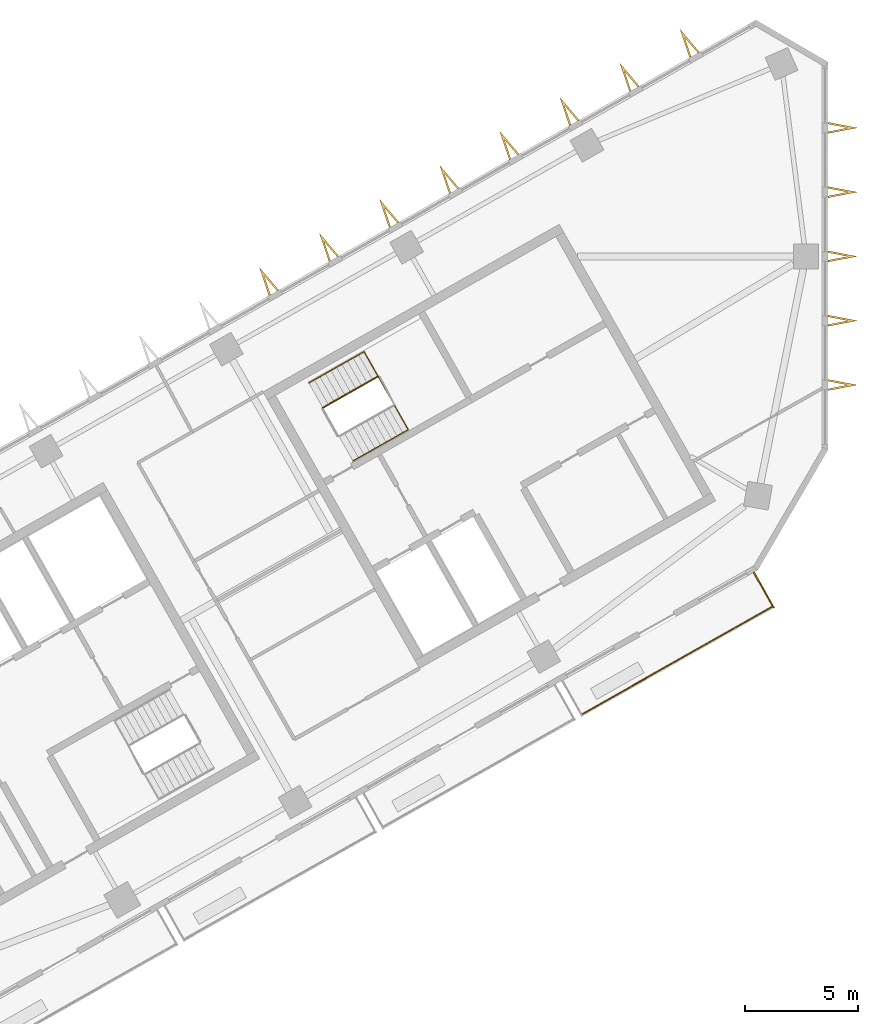
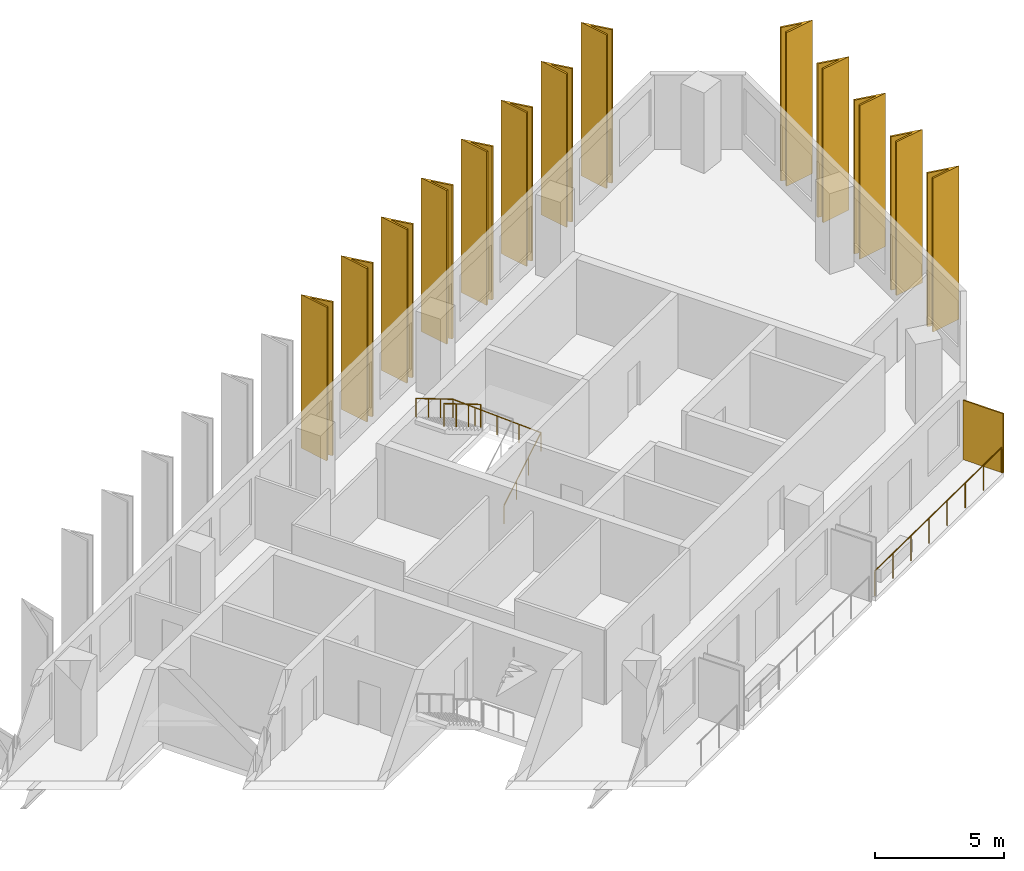
# One storey, part 7 of 8: 14 shading devices, 3 railings.
"""IFC4 building model written with IfcOpenShell, lengths in metres."""

from ifc_helpers import new_model, si_unit, direction, frame, origin, origin_2d, place, context, subcontext, project, spatial, polyline, rectangle, circle, outline, extrude, material, layer, layer_set, type_object, element, save


model = new_model("IFC4")

# Units and contexts
model_context = context("Model", 3, precision=1e-05, world=origin(), true_north=direction((0.0, 1.0)))
body_context = subcontext(model_context, "Body", "Model", "MODEL_VIEW")
ifc_project = project(units=[si_unit("LENGTHUNIT", "METRE"), si_unit("AREAUNIT", "SQUARE_METRE"), si_unit("VOLUMEUNIT", "CUBIC_METRE"), si_unit("PLANEANGLEUNIT", "RADIAN"), si_unit("MASSUNIT", "GRAM", prefix="KILO")], contexts=[model_context])

# Site, building, storey
site_placement = place(None, origin())
site = spatial("IfcSite", under=ifc_project, at=site_placement, CompositionType="ELEMENT")
building_placement = place(site_placement, origin())
building = spatial("IfcBuilding", under=site, at=building_placement, Name="Binnacle Exchange Tower", CompositionType="ELEMENT")
storey_placement = place(building_placement, frame((0.0, 0.0, 277.89990234375)))
storey = spatial("IfcBuildingStorey", under=building, at=storey_placement, Name="L62", CompositionType="ELEMENT", Elevation=277.89990234375)

# Railing
ifc_material_1 = material(Name="Bronze anodised aluminium frame", Category="aluminium")
railing_type_1 = type_object("IfcRailingType", Name="GUARD 1200", PredefinedType="GUARDRAIL", material=ifc_material_1)
railing_1_placement = place(storey_placement, frame((-10.7177734375, 39.81640625, 0.0)))
element("IfcRailing", 1, at=railing_1_placement, inside=storey, type_object=railing_type_1, Name="Balcony guard H07-B03 L62", PredefinedType="GUARDRAIL", context=body_context, shape_type="SweptSolid", body=[
    extrude(circle(Radius=0.02392578125, at=origin_2d()), frame((0.0, 0.0, 1.17578125), z_axis=(0.870353035673, 0.492428262079, 0.0), x_axis=(-0.492428262079, 0.870353035673, 0.0)), (0.0, 0.0, 1.0), 9.64794921875),
    extrude(circle(Radius=0.02099609375, at=origin_2d()), origin(), (0.0, 0.0, 1.0), 1.15185546875),
    extrude(circle(Radius=0.02099609375, at=origin_2d()), frame((1.19970703125, 0.6787109375, 0.0)), (0.0, 0.0, 1.0), 1.15185546875),
    extrude(circle(Radius=0.02099609375, at=origin_2d()), frame((2.399169921875, 1.357421875, 0.0)), (0.0, 0.0, 1.0), 1.15185546875),
    extrude(circle(Radius=0.02099609375, at=origin_2d()), frame((3.598876953125, 2.0361328125, 0.0)), (0.0, 0.0, 1.0), 1.15185546875),
    extrude(circle(Radius=0.02099609375, at=origin_2d()), frame((4.79833984375, 2.71484375, 0.0)), (0.0, 0.0, 1.0), 1.15185546875),
    extrude(circle(Radius=0.02099609375, at=origin_2d()), frame((5.998046875, 3.3935546875, 0.0)), (0.0, 0.0, 1.0), 1.15185546875),
    extrude(circle(Radius=0.02099609375, at=origin_2d()), frame((7.197509765625, 4.072265625, 0.0)), (0.0, 0.0, 1.0), 1.15185546875),
    extrude(circle(Radius=0.02099609375, at=origin_2d()), frame((8.397216796875, 4.7509765625, 0.0)), (0.0, 0.0, 1.0), 1.15185546875),
])

# Shading device
ifc_material_2 = material(Name="Bronze aluminium louvre", Category="aluminium")
ifc_layer = layer(ifc_material_2, 0.06005859375)
ifc_layer_set = layer_set([ifc_layer], Name="PLANTED SCREEN 60x2800")
shading_device_type_1 = type_object("IfcShadingDeviceType", Name="PLANTED SCREEN 60x2800", PredefinedType="USERDEFINED", material=ifc_layer_set)
shading_device_1_placement = place(storey_placement, frame((-2.697998046875, 45.2958984375, 0.0), z_axis=(0.0, 0.0, 1.0), x_axis=(0.87035569594, 0.492423560103, 0.0)))
element("IfcShadingDevice", 2, at=shading_device_1_placement, inside=storey, type_object=shading_device_type_1, Name="Planted screen H07-B03b L62", ObjectType="SCREEN", PredefinedType="USERDEFINED", context=body_context, shape_type="SweptSolid", body=[
    extrude(rectangle(XDim=0.06005859375, YDim=1.800048828125, at=origin_2d()), origin(), (0.0, 0.0, 1.0), 2.800048828125),
])

# Railings
ifc_material_3 = material(Name="Steel guard rail", Category="steel")
railing_type_2 = type_object("IfcRailingType", Name="STAIR GUARD 1100", PredefinedType="GUARDRAIL", material=ifc_material_3)
railing_2_placement = place(storey_placement, frame((-19.70068359375, 54.71337890625, 2.07275390625)))
element("IfcRailing", 3, at=railing_2_placement, inside=storey, type_object=railing_type_2, Name="L62 STC1 stair guard 2", PredefinedType="GUARDRAIL", context=body_context, shape_type="SweptSolid", body=[
    extrude(circle(Radius=0.02392578125, at=origin_2d()), frame((0.0, 0.0, 1.076171875), z_axis=(-0.740760999345, -0.419062048017, 0.525033467278), x_axis=(0.492387636113, -0.870376019777, 0.0)), (0.0, 0.0, 1.0), 3.289794921875),
    extrude(circle(Radius=0.02099609375, at=origin_2d()), origin(), (0.0, 0.0, 1.0), 1.052001953125),
    extrude(circle(Radius=0.02099609375, at=origin_2d()), frame((-0.812255859375, -0.45947265625, 0.57568359375)), (0.0, 0.0, 1.0), 1.052001953125),
    extrude(circle(Radius=0.02099609375, at=origin_2d()), frame((-1.624755859375, -0.919189453125, 1.151611328125)), (0.0, 0.0, 1.0), 1.052001953125),
    extrude(circle(Radius=0.02099609375, at=origin_2d()), frame((-2.43701171875, -1.378662109375, 1.727294921875)), (0.0, 0.0, 1.0), 1.052001953125),
])
ifc_material_4 = material(Name="Steel handrail", Category="steel")
railing_type_3 = type_object("IfcRailingType", Name="STAIR HANDRAIL 900", PredefinedType="HANDRAIL", material=ifc_material_4)
railing_3_placement = place(storey_placement, frame((-20.808349609375, 50.984619140625, 0.1728515625)))
element("IfcRailing", 4, at=railing_3_placement, inside=storey, type_object=railing_type_3, Name="L62 STC1 stair handrail 1", PredefinedType="HANDRAIL", context=body_context, shape_type="SweptSolid", body=[
    extrude(circle(Radius=0.02392578125, at=origin_2d()), frame((0.0, 0.0, 0.8759765625), z_axis=(0.740737961854, 0.419123222656, 0.525017138862), x_axis=(-0.492453686477, 0.870338650569, 0.0)), (0.0, 0.0, 1.0), 3.2900390625),
    extrude(circle(Radius=0.02392578125, at=origin_2d()), frame((2.43701171875, 1.37890625, 2.60302734375), z_axis=(-0.49197058795, 0.869516486623, 0.043657989918), x_axis=(-0.87034633103, -0.492440112159, 0.0)), (0.0, 0.0, 1.0), 3.95361328125),
    extrude(circle(Radius=0.02392578125, at=origin_2d()), frame((0.491943359375, 4.816650390625, 2.77587890625), z_axis=(-0.740760999345, -0.419062048017, 0.525033467278), x_axis=(0.492387636113, -0.870376019777, 0.0)), (0.0, 0.0, 1.0), 3.289794921875),
    extrude(circle(Radius=0.02099609375, at=origin_2d()), origin(), (0.0, 0.0, 1.0), 0.851806640625),
    extrude(circle(Radius=0.02099609375, at=origin_2d()), frame((0.812255859375, 0.459716796875, 0.57568359375)), (0.0, 0.0, 1.0), 0.851806640625),
    extrude(circle(Radius=0.02099609375, at=origin_2d()), frame((1.624755859375, 0.919189453125, 1.151611328125)), (0.0, 0.0, 1.0), 0.851806640625),
    extrude(circle(Radius=0.02099609375, at=origin_2d()), frame((2.43701171875, 1.37890625, 1.727294921875)), (0.0, 0.0, 1.0), 0.851806640625),
    extrude(circle(Radius=0.02099609375, at=origin_2d()), frame((1.95068359375, 2.23828125, 1.7705078125)), (0.0, 0.0, 1.0), 0.851806640625),
    extrude(circle(Radius=0.02099609375, at=origin_2d()), frame((1.46435546875, 3.09765625, 1.8134765625)), (0.0, 0.0, 1.0), 0.851806640625),
    extrude(circle(Radius=0.02099609375, at=origin_2d()), frame((0.978271484375, 3.957275390625, 1.856689453125)), (0.0, 0.0, 1.0), 0.851806640625),
    extrude(circle(Radius=0.02099609375, at=origin_2d()), frame((0.491943359375, 4.816650390625, 1.89990234375)), (0.0, 0.0, 1.0), 0.851806640625),
    extrude(circle(Radius=0.02099609375, at=origin_2d()), frame((-0.3203125, 4.357177734375, 2.4755859375)), (0.0, 0.0, 1.0), 0.851806640625),
    extrude(circle(Radius=0.02099609375, at=origin_2d()), frame((-1.1328125, 3.8974609375, 3.051513671875)), (0.0, 0.0, 1.0), 0.851806640625),
    extrude(circle(Radius=0.02099609375, at=origin_2d()), frame((-1.945068359375, 3.43798828125, 3.627197265625)), (0.0, 0.0, 1.0), 0.851806640625),
])

# Shading devices
ifc_material_5 = material(Name="Bronze aluminium cladding", Category="aluminium")
shading_device_type_2 = type_object("IfcShadingDeviceType", Name="V FIN 1300 DEEP x 7250 HIGH", PredefinedType="USERDEFINED", material=ifc_material_5)
shading_device_2_placement = place(storey_placement, origin())
element("IfcShadingDevice", 5, at=shading_device_2_placement, inside=storey, type_object=shading_device_type_2, Name="V fin FN-H01-01 L62", ObjectType="FIN", PredefinedType="USERDEFINED", context=body_context, shape_type="SweptSolid", body=[
    extrude(outline(polyline([(0.125, 54.083251953125), (1.425048828125, 54.333251953125), (0.125, 54.583251953125), (0.125, 54.501708984375), (1.00146484375, 54.333251953125), (0.125, 54.164794921875), (0.125, 54.083251953125)])), origin(), (0.0, 0.0, 1.0), 7.25),
])
shading_device_3_placement = place(storey_placement, origin())
element("IfcShadingDevice", 6, at=shading_device_3_placement, inside=storey, type_object=shading_device_type_2, Name="V fin FN-H01-02 L62", ObjectType="FIN", PredefinedType="USERDEFINED", context=body_context, shape_type="SweptSolid", body=[
    extrude(outline(polyline([(0.125, 56.916748046875), (1.425048828125, 57.166748046875), (0.125, 57.416748046875), (0.125, 57.335205078125), (1.00146484375, 57.166748046875), (0.125, 56.998291015625), (0.125, 56.916748046875)])), origin(), (0.0, 0.0, 1.0), 7.25),
])
shading_device_4_placement = place(storey_placement, origin())
element("IfcShadingDevice", 7, at=shading_device_4_placement, inside=storey, type_object=shading_device_type_2, Name="V fin FN-H01-03 L62", ObjectType="FIN", PredefinedType="USERDEFINED", context=body_context, shape_type="SweptSolid", body=[
    extrude(outline(polyline([(0.125, 59.75), (1.425048828125, 60.0), (0.125, 60.25), (0.125, 60.16845703125), (1.00146484375, 60.0), (0.125, 59.83154296875), (0.125, 59.75)])), origin(), (0.0, 0.0, 1.0), 7.25),
])
shading_device_5_placement = place(storey_placement, origin())
element("IfcShadingDevice", 8, at=shading_device_5_placement, inside=storey, type_object=shading_device_type_2, Name="V fin FN-H01-04 L62", ObjectType="FIN", PredefinedType="USERDEFINED", context=body_context, shape_type="SweptSolid", body=[
    extrude(outline(polyline([(0.125, 62.583251953125), (1.425048828125, 62.833251953125), (0.125, 63.083251953125), (0.125, 63.001708984375), (1.00146484375, 62.833251953125), (0.125, 62.664794921875), (0.125, 62.583251953125)])), origin(), (0.0, 0.0, 1.0), 7.25),
])
shading_device_6_placement = place(storey_placement, origin())
element("IfcShadingDevice", 9, at=shading_device_6_placement, inside=storey, type_object=shading_device_type_2, Name="V fin FN-H01-05 L62", ObjectType="FIN", PredefinedType="USERDEFINED", context=body_context, shape_type="SweptSolid", body=[
    extrude(outline(polyline([(0.125, 65.416748046875), (1.425048828125, 65.666748046875), (0.125, 65.916748046875), (0.125, 65.835205078125), (1.00146484375, 65.666748046875), (0.125, 65.498291015625), (0.125, 65.416748046875)])), origin(), (0.0, 0.0, 1.0), 7.25),
])
shading_device_7_placement = place(storey_placement, origin())
element("IfcShadingDevice", 10, at=shading_device_7_placement, inside=storey, type_object=shading_device_type_2, Name="V fin FN-H03-01 L62", ObjectType="FIN", PredefinedType="USERDEFINED", context=body_context, shape_type="SweptSolid", body=[
    extrude(outline(polyline([(-5.538818359375, 69.009765625), (-6.396728515625, 70.018310546875), (-5.97412109375, 68.763671875), (-5.9033203125, 68.8037109375), (-6.18798828125, 69.6494140625), (-5.60986328125, 68.9697265625), (-5.538818359375, 69.009765625)])), origin(), (0.0, 0.0, 1.0), 7.25),
])
shading_device_8_placement = place(storey_placement, origin())
element("IfcShadingDevice", 11, at=shading_device_8_placement, inside=storey, type_object=shading_device_type_2, Name="V fin FN-H03-02 L62", ObjectType="FIN", PredefinedType="USERDEFINED", context=body_context, shape_type="SweptSolid", body=[
    extrude(outline(polyline([(-8.187744140625, 67.51123046875), (-9.04541015625, 68.51953125), (-8.622802734375, 67.264892578125), (-8.552001953125, 67.30517578125), (-8.8369140625, 68.15087890625), (-8.258544921875, 67.47119140625), (-8.187744140625, 67.51123046875)])), origin(), (0.0, 0.0, 1.0), 7.25),
])
shading_device_9_placement = place(storey_placement, origin())
element("IfcShadingDevice", 12, at=shading_device_9_placement, inside=storey, type_object=shading_device_type_2, Name="V fin FN-H03-03 L62", ObjectType="FIN", PredefinedType="USERDEFINED", context=body_context, shape_type="SweptSolid", body=[
    extrude(outline(polyline([(-10.83642578125, 66.0126953125), (-11.694091796875, 67.02099609375), (-11.271484375, 65.766357421875), (-11.20068359375, 65.806396484375), (-11.485595703125, 66.65234375), (-10.9072265625, 65.972412109375), (-10.83642578125, 66.0126953125)])), origin(), (0.0, 0.0, 1.0), 7.25),
])
shading_device_10_placement = place(storey_placement, origin())
element("IfcShadingDevice", 13, at=shading_device_10_placement, inside=storey, type_object=shading_device_type_2, Name="V fin FN-H03-04 L62", ObjectType="FIN", PredefinedType="USERDEFINED", context=body_context, shape_type="SweptSolid", body=[
    extrude(outline(polyline([(-13.485107421875, 64.51416015625), (-14.343017578125, 65.5224609375), (-13.92041015625, 64.267822265625), (-13.849365234375, 64.30810546875), (-14.13427734375, 65.15380859375), (-13.555908203125, 64.47412109375), (-13.485107421875, 64.51416015625)])), origin(), (0.0, 0.0, 1.0), 7.25),
])
shading_device_11_placement = place(storey_placement, origin())
element("IfcShadingDevice", 14, at=shading_device_11_placement, inside=storey, type_object=shading_device_type_2, Name="V fin FN-H03-05 L62", ObjectType="FIN", PredefinedType="USERDEFINED", context=body_context, shape_type="SweptSolid", body=[
    extrude(outline(polyline([(-16.1337890625, 63.015380859375), (-16.99169921875, 64.02392578125), (-16.569091796875, 62.769287109375), (-16.498046875, 62.809326171875), (-16.782958984375, 63.6552734375), (-16.20458984375, 62.975341796875), (-16.1337890625, 63.015380859375)])), origin(), (0.0, 0.0, 1.0), 7.25),
])
shading_device_12_placement = place(storey_placement, origin())
element("IfcShadingDevice", 15, at=shading_device_12_placement, inside=storey, type_object=shading_device_type_2, Name="V fin FN-H03-06 L62", ObjectType="FIN", PredefinedType="USERDEFINED", context=body_context, shape_type="SweptSolid", body=[
    extrude(outline(polyline([(-18.78271484375, 61.516845703125), (-19.640380859375, 62.525390625), (-19.2177734375, 61.270751953125), (-19.14697265625, 61.310791015625), (-19.431640625, 62.156494140625), (-18.853515625, 61.476806640625), (-18.78271484375, 61.516845703125)])), origin(), (0.0, 0.0, 1.0), 7.25),
])
shading_device_13_placement = place(storey_placement, origin())
element("IfcShadingDevice", 16, at=shading_device_13_placement, inside=storey, type_object=shading_device_type_2, Name="V fin FN-H03-07 L62", ObjectType="FIN", PredefinedType="USERDEFINED", context=body_context, shape_type="SweptSolid", body=[
    extrude(outline(polyline([(-21.431396484375, 60.018310546875), (-22.2890625, 61.026611328125), (-21.866455078125, 59.772216796875), (-21.795654296875, 59.812255859375), (-22.080322265625, 60.657958984375), (-21.502197265625, 59.978271484375), (-21.431396484375, 60.018310546875)])), origin(), (0.0, 0.0, 1.0), 7.25),
])
shading_device_14_placement = place(storey_placement, origin())
element("IfcShadingDevice", 17, at=shading_device_14_placement, inside=storey, type_object=shading_device_type_2, Name="V fin FN-H03-08 L62", ObjectType="FIN", PredefinedType="USERDEFINED", context=body_context, shape_type="SweptSolid", body=[
    extrude(outline(polyline([(-24.080078125, 58.519775390625), (-24.93798828125, 59.528076171875), (-24.515380859375, 58.2734375), (-24.4443359375, 58.313720703125), (-24.729248046875, 59.159423828125), (-24.15087890625, 58.4794921875), (-24.080078125, 58.519775390625)])), origin(), (0.0, 0.0, 1.0), 7.25),
])

save(model, "model.ifc")
